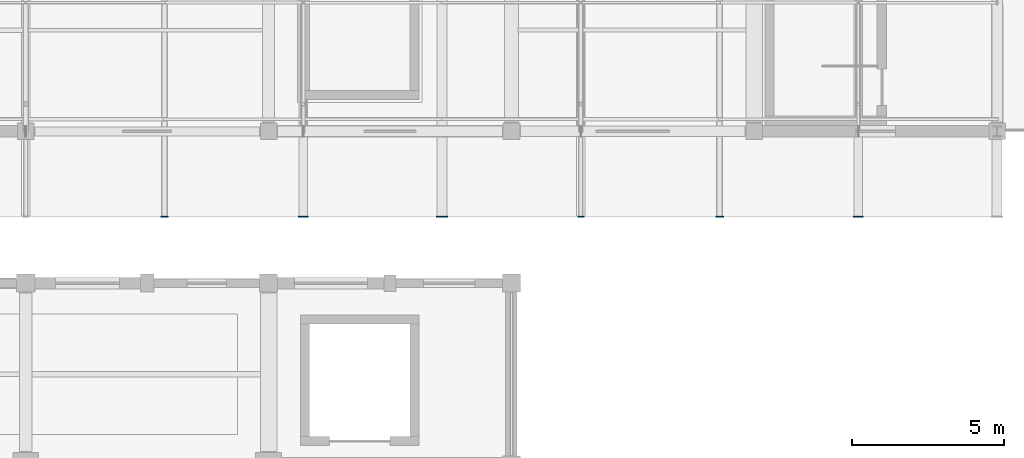
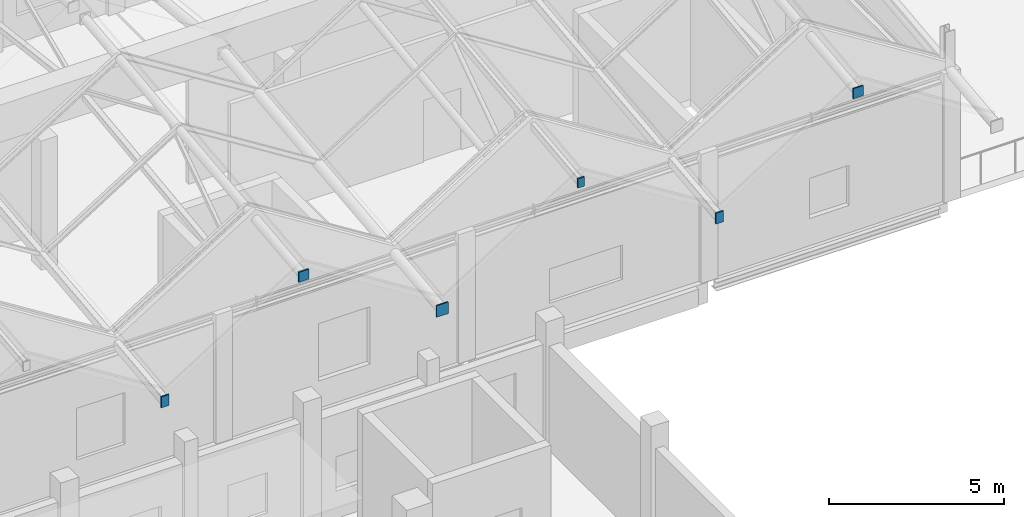
# One storey, part 158 of 183: 6 discrete accessories.
"""IFC4 building model written with IfcOpenShell, lengths in metres."""

from ifc_helpers import new_model, si_unit, direction, frame, origin, origin_2d, place, context, subcontext, project, spatial, rectangle, extrude, material, type_object, element, save


model = new_model("IFC4")

# Units and contexts
model_context = context("Model", 3, precision=1e-05, world=origin(), true_north=direction((0.0, 1.0)))
body_context = subcontext(model_context, "Body", "Model", "MODEL_VIEW")
ifc_project = project(units=[si_unit("LENGTHUNIT", "METRE"), si_unit("AREAUNIT", "SQUARE_METRE"), si_unit("VOLUMEUNIT", "CUBIC_METRE"), si_unit("PLANEANGLEUNIT", "RADIAN"), si_unit("MASSUNIT", "GRAM", prefix="KILO")], contexts=[model_context])

# Site, building, storey
site_placement = place(None, origin())
site = spatial("IfcSite", under=ifc_project, at=site_placement, CompositionType="ELEMENT")
building_placement = place(site_placement, origin())
building = spatial("IfcBuilding", under=site, at=building_placement, Name="Luwemba Playhouse", CompositionType="ELEMENT")
storey_placement = place(building_placement, frame((0.0, 0.0, 4.800048828125)))
storey = spatial("IfcBuildingStorey", under=building, at=storey_placement, Name="L01", CompositionType="ELEMENT", Elevation=4.800048828125)

# Discrete accessories
ifc_material = material(Name="Steel S355", Category="steel")
discrete_accessory_type = type_object("IfcDiscreteAccessoryType", Name="ACC-ENDCAP-S355", PredefinedType="BRACKET", material=ifc_material)
discrete_accessory_1_placement = place(storey_placement, frame((40.5712890625, 92.18505859375, 3.970458984375), z_axis=(0.0, 0.0, 1.0), x_axis=(1.0, 0.0, 0.0)))
element("IfcDiscreteAccessory", 1, at=discrete_accessory_1_placement, inside=storey, type_object=discrete_accessory_type, Name="Welded RHS end cap plate 0469", PredefinedType="BRACKET", context=body_context, shape_type="SweptSolid", body=[
    extrude(rectangle(XDim=0.260009765625, YDim=0.044921875, at=origin_2d()), origin(), (0.0, 0.0, 1.0), 0.3798828125),
])
discrete_accessory_2_placement = place(storey_placement, frame((45.142822265625, 92.18505859375, 6.754638671875), z_axis=(0.0, 0.0, 1.0), x_axis=(1.0, 0.0, 0.0)))
element("IfcDiscreteAccessory", 2, at=discrete_accessory_2_placement, inside=storey, type_object=discrete_accessory_type, Name="Welded RHS end cap plate 0473", PredefinedType="BRACKET", context=body_context, shape_type="SweptSolid", body=[
    extrude(rectangle(XDim=0.3330078125, YDim=0.044921875, at=origin_2d()), origin(), (0.0, 0.0, 1.0), 0.35302734375),
])
discrete_accessory_3_placement = place(storey_placement, frame((49.71435546875, 92.18505859375, 3.9462890625), z_axis=(0.0, 0.0, 1.0), x_axis=(1.0, 0.0, 0.0)))
element("IfcDiscreteAccessory", 3, at=discrete_accessory_3_placement, inside=storey, type_object=discrete_accessory_type, Name="Welded RHS end cap plate 0477", PredefinedType="BRACKET", context=body_context, shape_type="SweptSolid", body=[
    extrude(rectangle(XDim=0.384033203125, YDim=0.044921875, at=origin_2d()), origin(), (0.0, 0.0, 1.0), 0.404052734375),
])
discrete_accessory_4_placement = place(storey_placement, frame((54.28564453125, 92.18505859375, 6.81640625), z_axis=(0.0, 0.0, 1.0), x_axis=(1.0, 0.0, 0.0)))
element("IfcDiscreteAccessory", 4, at=discrete_accessory_4_placement, inside=storey, type_object=discrete_accessory_type, Name="Welded RHS end cap plate 0481", PredefinedType="BRACKET", context=body_context, shape_type="SweptSolid", body=[
    extrude(rectangle(XDim=0.2099609375, YDim=0.044921875, at=origin_2d()), origin(), (0.0, 0.0, 1.0), 0.330078125),
])
discrete_accessory_5_placement = place(storey_placement, frame((58.857177734375, 92.18505859375, 3.970458984375), z_axis=(0.0, 0.0, 1.0), x_axis=(1.0, 0.0, 0.0)))
element("IfcDiscreteAccessory", 5, at=discrete_accessory_5_placement, inside=storey, type_object=discrete_accessory_type, Name="Welded RHS end cap plate 0485", PredefinedType="BRACKET", context=body_context, shape_type="SweptSolid", body=[
    extrude(rectangle(XDim=0.260009765625, YDim=0.044921875, at=origin_2d()), origin(), (0.0, 0.0, 1.0), 0.3798828125),
])
discrete_accessory_6_placement = place(storey_placement, frame((63.4287109375, 92.18505859375, 6.754638671875), z_axis=(0.0, 0.0, 1.0), x_axis=(1.0, 0.0, 0.0)))
element("IfcDiscreteAccessory", 6, at=discrete_accessory_6_placement, inside=storey, type_object=discrete_accessory_type, Name="Welded RHS end cap plate 0489", PredefinedType="BRACKET", context=body_context, shape_type="SweptSolid", body=[
    extrude(rectangle(XDim=0.3330078125, YDim=0.044921875, at=origin_2d()), origin(), (0.0, 0.0, 1.0), 0.35302734375),
])

save(model, "model.ifc")
